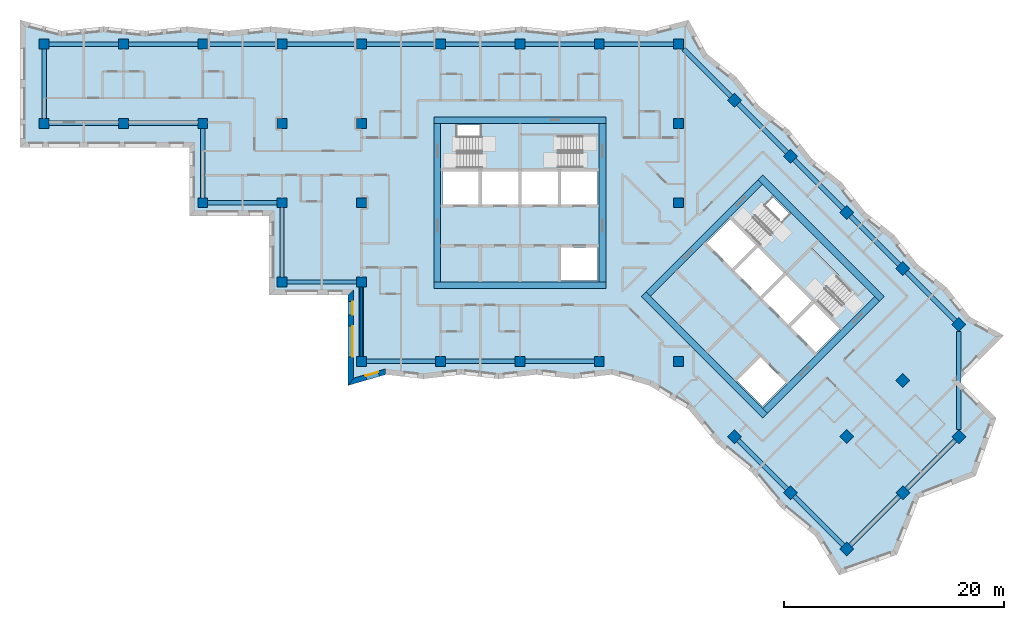
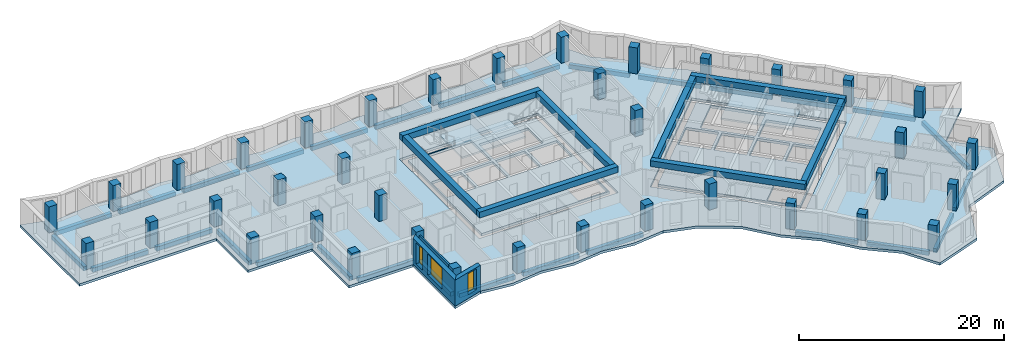
# One storey, part 1 of 12: 38 columns, 37 beams, 7 slabs, 3 walls, 3 windows, 19 openings, 4 elements without a shape of their own.
"""IFC4 building model written with IfcOpenShell, lengths in metres."""

import ifcopenshell
import ifcopenshell.guid

model = None  # the IFC model being written
_history = None  # IfcOwnerHistory: only IFC2X3 demands one
_inside = {}  # id of a spatial element -> (the spatial element, [elements in it])
_under = {}  # id of a project, library or spatial element -> (it, [spatial elements below it])
_declared = {}  # id of a project -> (the project, [libraries it declares])
_typed = {}  # id of a type object -> (the type object, [elements of that type])
_made_of = {}  # id of a material, layer set ... -> (it, [elements and type objects made of it])


def new_model(schema):
    """Start an empty IFC model of exactly this schema.

    Asked for "IFC4X3", IfcOpenShell would pick the latest addendum, in which some entities
    have other attributes; the version numbers below select the first issue.
    IFC2X3 requires an IfcOwnerHistory on every rooted entity: one is made here for all.
    """
    global model, _history
    if schema == "IFC4X3":
        model = ifcopenshell.file(schema_version=(4, 3, 0, 0))
    else:
        model = ifcopenshell.file(schema=schema)
    _inside.clear()
    _under.clear()
    _declared.clear()
    _typed.clear()
    _made_of.clear()
    _history = None
    if model.schema == "IFC2X3":
        org = make("IfcOrganization", Name="unknown")
        user = make(
            "IfcPersonAndOrganization",
            ThePerson=make("IfcPerson", FamilyName="unknown"),
            TheOrganization=org,
        )
        app = make(
            "IfcApplication",
            ApplicationDeveloper=org,
            Version="unknown",
            ApplicationFullName="unknown",
            ApplicationIdentifier="unknown",
        )
        _history = make(
            "IfcOwnerHistory",
            OwningUser=user,
            OwningApplication=app,
            ChangeAction="ADDED",
            CreationDate=0,
        )
    return model


def make(cls, **values):
    """One entity of the class cls with the attributes given. An attribute that is None is left unset."""
    return model.create_entity(
        cls, **{name: value for name, value in values.items() if value is not None}
    )


def rooted(cls, **values):
    """An entity with a GlobalId (a new one), such as an element, a storey or a relation."""
    return make(cls, GlobalId=ifcopenshell.guid.new(), OwnerHistory=_history, **values)


def si_unit(unit_type, name, prefix=None):
    """IfcSIUnit, for example si_unit("LENGTHUNIT", "METRE", prefix="MILLI")."""
    return make("IfcSIUnit", UnitType=unit_type, Prefix=prefix, Name=name)


def assignment(units):
    """IfcUnitAssignment: the units of a project."""
    return None if units is None else make("IfcUnitAssignment", Units=units)


def point(xyz):
    """IfcCartesianPoint."""
    return None if xyz is None else make("IfcCartesianPoint", Coordinates=xyz)


def direction(xyz):
    """IfcDirection."""
    return None if xyz is None else make("IfcDirection", DirectionRatios=xyz)


def frame(location, z_axis=None, x_axis=None):
    """IfcAxis2Placement3D, a coordinate frame: its origin and axes. An axis left out is left unset."""
    return make(
        "IfcAxis2Placement3D",
        Location=point(location),
        Axis=direction(z_axis),
        RefDirection=direction(x_axis),
    )


def frame_2d(location, x_axis=None):
    """IfcAxis2Placement2D, a coordinate frame in the plane: its origin and x axis."""
    return make(
        "IfcAxis2Placement2D", Location=point(location), RefDirection=direction(x_axis)
    )


def origin():
    """The frame at (0, 0, 0) with its axes left unset."""
    return frame((0.0, 0.0, 0.0))


def origin_2d():
    """The frame at (0, 0) in the plane with its x axis left unset."""
    return frame_2d((0.0, 0.0))


def place(relative_to, where):
    """IfcLocalPlacement: puts the frame where relative to a parent placement (None: the world)."""
    return make(
        "IfcLocalPlacement", PlacementRelTo=relative_to, RelativePlacement=where
    )


def context(
    kind, dimensions, precision=None, world=None, true_north=None, identifier=None
):
    """IfcGeometricRepresentationContext, for example the 3D "Model" context."""
    return make(
        "IfcGeometricRepresentationContext",
        ContextIdentifier=identifier,
        ContextType=kind,
        CoordinateSpaceDimension=dimensions,
        Precision=precision,
        WorldCoordinateSystem=world,
        TrueNorth=true_north,
    )


def subcontext(parent, identifier, kind, view, scale=None):
    """IfcGeometricRepresentationSubContext, for example "Body" below "Model"."""
    return make(
        "IfcGeometricRepresentationSubContext",
        ContextIdentifier=identifier,
        ContextType=kind,
        ParentContext=parent,
        TargetScale=scale,
        TargetView=view,
    )


def project(units=None, contexts=None):
    """IfcProject with its units and contexts."""
    return rooted(
        "IfcProject",
        Name="project",
        RepresentationContexts=contexts,
        UnitsInContext=assignment(units),
    )


def spatial(cls, under=None, at=None, **own):
    """A site, building, storey or space (cls), placed at a placement, below another one or the project."""
    s = rooted(cls, ObjectPlacement=at, **own)
    if under is not None:
        _under.setdefault(under.id(), (under, []))[1].append(s)
    return s


def polyline(points):
    """IfcPolyline through the points."""
    return make("IfcPolyline", Points=[point(p) for p in points])


def profile(cls, at=None, kind="AREA", **sizes):
    """A parametric profile (cls). Its sizes go by their IFC names, for example OverallWidth=200.0."""
    return make(cls, ProfileType=kind, Position=at, **sizes)


def rectangle(**sizes):
    """IfcRectangleProfileDef."""
    return profile("IfcRectangleProfileDef", **sizes)


def outline(outer, holes=None, kind="AREA"):
    """IfcArbitraryClosedProfileDef: a profile drawn as a closed curve; with holes, ...WithVoids."""
    if holes is None:
        return make("IfcArbitraryClosedProfileDef", ProfileType=kind, OuterCurve=outer)
    return make(
        "IfcArbitraryProfileDefWithVoids",
        ProfileType=kind,
        OuterCurve=outer,
        InnerCurves=holes,
    )


def extrude(swept, where, along, depth):
    """IfcExtrudedAreaSolid: the profile swept, set in the frame where, extruded along a direction by depth."""
    return make(
        "IfcExtrudedAreaSolid",
        SweptArea=swept,
        Position=where,
        ExtrudedDirection=direction(along),
        Depth=depth,
    )


def shape(context_of_items, identifier, shape_type, items):
    """IfcShapeRepresentation: the items that make up one representation, for example the "Body"."""
    return make(
        "IfcShapeRepresentation",
        ContextOfItems=context_of_items,
        RepresentationIdentifier=identifier,
        RepresentationType=shape_type,
        Items=items,
    )


def material(Name=None, Category=None):
    """IfcMaterial."""
    return make("IfcMaterial", Name=Name, Category=Category)


def layer(
    of_material, thickness, ventilated=None, Name=None, Category=None, Priority=None
):
    """IfcMaterialLayer: one layer of a wall or slab, of a material (None: an air gap)."""
    return make(
        "IfcMaterialLayer",
        Material=of_material,
        LayerThickness=thickness,
        IsVentilated=ventilated,
        Name=Name,
        Category=Category,
        Priority=Priority,
    )


def layer_set(layers, Name=None):
    """IfcMaterialLayerSet."""
    return make("IfcMaterialLayerSet", MaterialLayers=layers, LayerSetName=Name)


def material_profile(
    of_material, cross_section, Name=None, Category=None, Priority=None
):
    """IfcMaterialProfile: a cross section and its material."""
    return make(
        "IfcMaterialProfile",
        Name=Name,
        Material=of_material,
        Profile=cross_section,
        Priority=Priority,
        Category=Category,
    )


def profile_set(profiles, Name=None, composite=None):
    """IfcMaterialProfileSet."""
    return make(
        "IfcMaterialProfileSet",
        Name=Name,
        MaterialProfiles=profiles,
        CompositeProfile=composite,
    )


def made_of(thing, what):
    """Note that an element or type object is made of a material, layer set ...; save() writes the relation."""
    if what is not None:
        _made_of.setdefault(what.id(), (what, []))[1].append(thing)
    return thing


def type_object(cls, material=None, **own):
    """A type object (cls), such as IfcWallType, which elements share."""
    return made_of(rooted(cls, **own), material)


def element(
    cls,
    number,
    at=None,
    inside=None,
    cuts=None,
    type_object=None,
    material=None,
    context=None,
    identifier="Body",
    shape_type=None,
    held_by="IfcProductDefinitionShape",
    body=None,
    shapes=None,
    **own,
):
    """One element of the class cls, such as IfcWall. Its Tag is "e" and its number.

    at: its placement. inside: the storey or other place that contains it. cuts: it is an
    opening in that element (IfcRelVoidsElement). A single representation is given by context,
    identifier, shape_type and body (its items); several are given by shapes. held_by: the class
    of the entity that holds the representations. save() writes the other relations.
    """
    e = rooted(cls, Tag="e%d" % number, ObjectPlacement=at, **own)
    if body is not None:
        shapes = [shape(context, identifier, shape_type, body)]
    if shapes is not None:
        e.Representation = make(held_by, Representations=shapes)
    if inside is not None:
        _inside.setdefault(inside.id(), (inside, []))[1].append(e)
    if cuts is not None:
        rooted(
            "IfcRelVoidsElement", RelatingBuildingElement=cuts, RelatedOpeningElement=e
        )
    if type_object is not None:
        _typed.setdefault(type_object.id(), (type_object, []))[1].append(e)
    return made_of(e, material)


def fill(opening, filler):
    """IfcRelFillsElement: the door or window that sits in an opening."""
    return rooted(
        "IfcRelFillsElement",
        RelatingOpeningElement=opening,
        RelatedBuildingElement=filler,
    )


def aggregate(whole, parts):
    """IfcRelAggregates: a whole, such as a stair, and the parts it consists of."""
    return rooted("IfcRelAggregates", RelatingObject=whole, RelatedObjects=parts)


def save(model, path):
    """Write the relations noted so far, then the file.

    IfcRelAggregates (storeys below a building ...), IfcRelContainedInSpatialStructure (elements
    in a storey), IfcRelDefinesByType, IfcRelAssociatesMaterial and IfcRelDeclares: one each for
    every whole, place, type object, material and project.
    """
    for whole, parts in _under.values():
        aggregate(whole, parts)
    for where, things in _inside.values():
        rooted(
            "IfcRelContainedInSpatialStructure",
            RelatedElements=things,
            RelatingStructure=where,
        )
    for kind, things in _typed.values():
        rooted("IfcRelDefinesByType", RelatedObjects=things, RelatingType=kind)
    for what, things in _made_of.values():
        rooted("IfcRelAssociatesMaterial", RelatedObjects=things, RelatingMaterial=what)
    for by, libraries in _declared.values():
        rooted("IfcRelDeclares", RelatingContext=by, RelatedDefinitions=libraries)
    model.write(path)


model = new_model("IFC4")

# Units and contexts
model_context = context("Model", 3, precision=1e-05, world=origin(), true_north=direction((0.0, 1.0)))
body_context = subcontext(model_context, "Body", "Model", "MODEL_VIEW")
ifc_project = project(units=[si_unit("LENGTHUNIT", "METRE"), si_unit("AREAUNIT", "SQUARE_METRE"), si_unit("VOLUMEUNIT", "CUBIC_METRE"), si_unit("PLANEANGLEUNIT", "RADIAN"), si_unit("MASSUNIT", "GRAM", prefix="KILO")], contexts=[model_context])

# Site, building, storey
site_placement = place(None, origin())
site = spatial("IfcSite", under=ifc_project, at=site_placement, CompositionType="ELEMENT")
building_placement = place(site_placement, origin())
building = spatial("IfcBuilding", under=site, at=building_placement, Name="Windrow Commons", CompositionType="ELEMENT")
storey_placement = place(building_placement, frame((0.0, 0.0, 145.6)))
storey = spatial("IfcBuildingStorey", under=building, at=storey_placement, Name="L39", CompositionType="ELEMENT", Elevation=145.6)

# Columns
ifc_material_1 = material(Name="Concrete C50/60", Category="concrete")
ifc_material_profile_1 = material_profile(ifc_material_1, rectangle(XDim=0.9, YDim=0.9, at=origin_2d()))
ifc_profile_set_1 = profile_set([ifc_material_profile_1], Name="Concrete C50/60")
column_type = type_object("IfcColumnType", Name="RC COLUMN 900x900 C50/60", PredefinedType="COLUMN", material=ifc_profile_set_1)
for number, where, z_axis, x_axis, name in (
    (1, (21.6, 64.8, 0.0), (0.0, 0.0, 1.0), (1.0, 0.0, 0.0), "C-Z3-04I"),
    (2, (21.6, 72.0, 0.0), (0.0, 0.0, 1.0), (1.0, 0.0, 0.0), "C-Z3-04J"),
    (3, (28.8, 64.8, 0.0), (0.0, 0.0, 1.0), (1.0, 0.0, 0.0), "C-Z3-05I"),
    (4, (28.8, 72.0, 0.0), (0.0, 0.0, 1.0), (1.0, 0.0, 0.0), "C-Z3-05J"),
    (5, (36.0, 57.6, 0.0), (0.0, 0.0, 1.0), (1.0, 0.0, 0.0), "C-Z3-06H"),
    (6, (36.0, 64.8, 0.0), (0.0, 0.0, 1.0), (1.0, 0.0, 0.0), "C-Z3-06I"),
    (7, (36.0, 72.0, 0.0), (0.0, 0.0, 1.0), (1.0, 0.0, 0.0), "C-Z3-06J"),
    (8, (43.2, 50.4, 0.0), (0.0, 0.0, 1.0), (1.0, 0.0, 0.0), "C-Z3-07G"),
    (9, (43.2, 57.6, 0.0), (0.0, 0.0, 1.0), (1.0, 0.0, 0.0), "C-Z3-07H"),
    (10, (43.2, 64.8, 0.0), (0.0, 0.0, 1.0), (1.0, 0.0, 0.0), "C-Z3-07I"),
    (11, (43.2, 72.0, 0.0), (0.0, 0.0, 1.0), (1.0, 0.0, 0.0), "C-Z3-07J"),
    (12, (50.4, 43.2, 0.0), (0.0, 0.0, 1.0), (1.0, 0.0, 0.0), "C-Z3-08F"),
    (13, (50.4, 50.4, 0.0), (0.0, 0.0, 1.0), (1.0, 0.0, 0.0), "C-Z3-08G"),
    (14, (50.4, 57.6, 0.0), (0.0, 0.0, 1.0), (1.0, 0.0, 0.0), "C-Z3-08H"),
    (15, (50.4, 64.8, 0.0), (0.0, 0.0, 1.0), (1.0, 0.0, 0.0), "C-Z3-08I"),
    (16, (50.4, 72.0, 0.0), (0.0, 0.0, 1.0), (1.0, 0.0, 0.0), "C-Z3-08J"),
    (17, (57.6, 43.2, 0.0), (0.0, 0.0, 1.0), (1.0, 0.0, 0.0), "C-Z3-09F"),
    (18, (57.6, 72.0, 0.0), (0.0, 0.0, 1.0), (1.0, 0.0, 0.0), "C-Z3-09J"),
    (19, (64.8, 43.2, 0.0), (0.0, 0.0, 1.0), (1.0, 0.0, 0.0), "C-Z3-10F"),
    (20, (64.8, 72.0, 0.0), (0.0, 0.0, 1.0), (1.0, 0.0, 0.0), "C-Z3-10J"),
    (21, (72.0, 43.2, 0.0), (0.0, 0.0, 1.0), (1.0, 0.0, 0.0), "C-Z3-11F"),
    (22, (72.0, 72.0, 0.0), (0.0, 0.0, 1.0), (1.0, 0.0, 0.0), "C-Z3-11J"),
    (23, (79.2, 43.2, 0.0), (0.0, 0.0, 1.0), (1.0, 0.0, 0.0), "C-Z3-12F"),
    (24, (79.2, 57.6, 0.0), (0.0, 0.0, 1.0), (1.0, 0.0, 0.0), "C-Z3-12H"),
    (25, (79.2, 64.8, 0.0), (0.0, 0.0, 1.0), (1.0, 0.0, 0.0), "C-Z3-12I"),
    (26, (79.2, 72.0, 0.0), (0.0, 0.0, 1.0), (1.0, 0.0, 0.0), "C-Z3-12J"),
    (27, (84.2912, 66.9088, 0.0), (0.0, 0.0, 1.0), (0.7071067812, -0.7071067812, 0.0), "C-Z3-P2Q"),
    (28, (89.3823, 61.8177, 0.0), (0.0, 0.0, 1.0), (0.7071067812, -0.7071067812, 0.0), "C-Z3-P3Q"),
    (29, (94.4735, 56.7265, 0.0), (0.0, 0.0, 1.0), (0.7071067812, -0.7071067812, 0.0), "C-Z3-P4Q"),
    (30, (99.5647, 51.6353, 0.0), (0.0, 0.0, 1.0), (0.7071067812, -0.7071067812, 0.0), "C-Z3-P5Q"),
    (31, (84.2912, 36.3618, 0.0), (0.0, 0.0, 1.0), (0.7071067812, -0.7071067812, 0.0), "C-Z3-P5T"),
    (32, (104.6558, 46.5442, 0.0), (0.0, 0.0, 1.0), (0.7071067812, -0.7071067812, 0.0), "C-Z3-P6Q"),
    (33, (99.5647, 41.453, 0.0), (0.0, 0.0, 1.0), (0.7071067812, -0.7071067812, 0.0), "C-Z3-P6R"),
    (34, (94.4735, 36.3618, 0.0), (0.0, 0.0, 1.0), (0.7071067812, -0.7071067812, 0.0), "C-Z3-P6S"),
    (35, (89.3823, 31.2706, 0.0), (0.0, 0.0, 1.0), (0.7071067812, -0.7071067812, 0.0), "C-Z3-P6T"),
    (36, (104.6558, 36.3618, 0.0), (0.0, 0.0, 1.0), (0.7071067812, -0.7071067812, 0.0), "C-Z3-P7R"),
    (37, (99.5647, 31.2706, 0.0), (0.0, 0.0, 1.0), (0.7071067812, -0.7071067812, 0.0), "C-Z3-P7S"),
    (38, (94.4735, 26.1795, 0.0), (0.0, 0.0, 1.0), (0.7071067812, -0.7071067812, 0.0), "C-Z3-P7T"),
):
    element("IfcColumn", number, at=place(storey_placement, frame(where, z_axis=z_axis, x_axis=x_axis)), inside=storey, type_object=column_type, Name=name, PredefinedType="COLUMN", context=body_context, shape_type="SweptSolid", body=[
        extrude(rectangle(XDim=0.9, YDim=0.9, at=origin_2d()), origin(), (0.0, 0.0, 1.0), 3.1),
    ])

# Beams
ifc_material_2 = material(Name="Concrete C50/60", Category="concrete")
ifc_material_profile_2 = material_profile(ifc_material_2, rectangle(XDim=0.6, YDim=0.7, at=origin_2d()))
ifc_profile_set_2 = profile_set([ifc_material_profile_2], Name="Concrete C50/60")
beam_type_1 = type_object("IfcBeamType", Name="RC COUPLING BEAM 600x700 C50/60", PredefinedType="LINTEL", material=ifc_profile_set_2)
for number, where, z_axis, x_axis, name in (
    (39, (57.0, 50.1, 2.75), (1.0, 0.0, 0.0), (0.0, 1.0, 0.0), "Core A coupling beam outer-S"),
    (40, (57.0, 65.1, 2.75), (1.0, 0.0, 0.0), (0.0, 1.0, 0.0), "Core A coupling beam outer-N"),
):
    element("IfcBeam", number, at=place(storey_placement, frame(where, z_axis=z_axis, x_axis=x_axis)), inside=storey, type_object=beam_type_1, Name=name, PredefinedType="LINTEL", context=body_context, shape_type="SweptSolid", body=[
        extrude(rectangle(XDim=0.6, YDim=0.7, at=origin_2d()), origin(), (0.0, 0.0, 1.0), 15.6),
    ])
for number, where, z_axis, x_axis, name in (
    (41, (57.3, 50.4, 2.75), (0.0, 1.0, 0.0), (-1.0, 0.0, 0.0), "Core A coupling beam outer-W"),
    (42, (72.3, 50.4, 2.75), (0.0, 1.0, 0.0), (-1.0, 0.0, 0.0), "Core A coupling beam outer-E"),
):
    element("IfcBeam", number, at=place(storey_placement, frame(where, z_axis=z_axis, x_axis=x_axis)), inside=storey, type_object=beam_type_1, Name=name, PredefinedType="LINTEL", context=body_context, shape_type="SweptSolid", body=[
        extrude(rectangle(XDim=0.6, YDim=0.7, at=origin_2d()), origin(), (0.0, 0.0, 1.0), 14.4),
    ])
for number, where, z_axis, x_axis, name in (
    (43, (76.018, 49.3019, 2.75), (0.7071067812, -0.7071067812, 0.0), (0.7071067812, 0.7071067812, 0.0), "Core B coupling beam outer-S"),
    (44, (86.6246, 59.9085, 2.75), (0.7071067812, -0.7071067812, 0.0), (0.7071067812, 0.7071067812, 0.0), "Core B coupling beam outer-N"),
):
    element("IfcBeam", number, at=place(storey_placement, frame(where, z_axis=z_axis, x_axis=x_axis)), inside=storey, type_object=beam_type_1, Name=name, PredefinedType="LINTEL", context=body_context, shape_type="SweptSolid", body=[
        extrude(rectangle(XDim=0.6, YDim=0.7, at=origin_2d()), origin(), (0.0, 0.0, 1.0), 15.6),
    ])
for number, where, z_axis, x_axis, name in (
    (45, (76.4423, 49.3019, 2.75), (0.7071067812, 0.7071067812, 0.0), (-0.7071067812, 0.7071067812, 0.0), "Core B coupling beam outer-W"),
    (46, (87.0489, 38.6953, 2.75), (0.7071067812, 0.7071067812, 0.0), (-0.7071067812, 0.7071067812, 0.0), "Core B coupling beam outer-E"),
):
    element("IfcBeam", number, at=place(storey_placement, frame(where, z_axis=z_axis, x_axis=x_axis)), inside=storey, type_object=beam_type_1, Name=name, PredefinedType="LINTEL", context=body_context, shape_type="SweptSolid", body=[
        extrude(rectangle(XDim=0.6, YDim=0.7, at=origin_2d()), origin(), (0.0, 0.0, 1.0), 14.3999),
    ])
ifc_material_3 = material(Name="Concrete C50/60", Category="concrete")
ifc_material_profile_3 = material_profile(ifc_material_3, rectangle(XDim=0.4, YDim=0.5, at=origin_2d()))
ifc_profile_set_3 = profile_set([ifc_material_profile_3], Name="Concrete C50/60")
beam_type_2 = type_object("IfcBeamType", Name="RC EDGE BEAM 400x500 C50/60", PredefinedType="SPANDREL", material=ifc_profile_set_3)
for number, where, z_axis, x_axis, name in (
    (47, (36.0, 58.05, -0.55), (0.0, 1.0, 0.0), (-1.0, 0.0, 0.0), "Edge beam L39 001"),
    (48, (35.55, 64.8, -0.55), (-1.0, 0.0, 0.0), (0.0, -1.0, 0.0), "Edge beam L39 002"),
    (49, (28.35, 64.8, -0.55), (-1.0, 0.0, 0.0), (0.0, -1.0, 0.0), "Edge beam L39 003"),
    (50, (21.6, 65.25, -0.55), (0.0, 1.0, 0.0), (-1.0, 0.0, 0.0), "Edge beam L39 004"),
    (51, (22.05, 72.0, -0.55), (1.0, 0.0, 0.0), (0.0, 1.0, 0.0), "Edge beam L39 005"),
    (52, (29.25, 72.0, -0.55), (1.0, 0.0, 0.0), (0.0, 1.0, 0.0), "Edge beam L39 006"),
    (53, (36.45, 72.0, -0.55), (1.0, 0.0, 0.0), (0.0, 1.0, 0.0), "Edge beam L39 007"),
    (54, (43.65, 72.0, -0.55), (1.0, 0.0, 0.0), (0.0, 1.0, 0.0), "Edge beam L39 008"),
    (55, (50.85, 72.0, -0.55), (1.0, 0.0, 0.0), (0.0, 1.0, 0.0), "Edge beam L39 009"),
    (56, (58.05, 72.0, -0.55), (1.0, 0.0, 0.0), (0.0, 1.0, 0.0), "Edge beam L39 010"),
    (57, (65.25, 72.0, -0.55), (1.0, 0.0, 0.0), (0.0, 1.0, 0.0), "Edge beam L39 011"),
    (58, (72.45, 72.0, -0.55), (1.0, 0.0, 0.0), (0.0, 1.0, 0.0), "Edge beam L39 012"),
):
    element("IfcBeam", number, at=place(storey_placement, frame(where, z_axis=z_axis, x_axis=x_axis)), inside=storey, type_object=beam_type_2, Name=name, PredefinedType="SPANDREL", context=body_context, shape_type="SweptSolid", body=[
        extrude(rectangle(XDim=0.4, YDim=0.5, at=origin_2d()), origin(), (0.0, 0.0, 1.0), 6.3),
    ])
beam_1_placement = place(storey_placement, frame((79.65, 71.55, -0.55), z_axis=(0.7071067812, -0.7071067812, 0.0), x_axis=(0.7071067812, 0.7071067812, 0.0)))
element("IfcBeam", 59, at=beam_1_placement, inside=storey, type_object=beam_type_2, Name="Edge beam L39 013", PredefinedType="SPANDREL", context=body_context, shape_type="SweptSolid", body=[
    extrude(rectangle(XDim=0.4, YDim=0.5, at=origin_2d()), origin(), (0.0, 0.0, 1.0), 6.1136),
])
beam_2_placement = place(storey_placement, frame((84.6094, 66.5906, -0.55), z_axis=(0.7071067812, -0.7071067812, 0.0), x_axis=(0.7071067812, 0.7071067812, 0.0)))
element("IfcBeam", 60, at=beam_2_placement, inside=storey, type_object=beam_type_2, Name="Edge beam L39 014", PredefinedType="SPANDREL", context=body_context, shape_type="SweptSolid", body=[
    extrude(rectangle(XDim=0.4, YDim=0.5, at=origin_2d()), origin(), (0.0, 0.0, 1.0), 6.2999),
])
for number, where, z_axis, x_axis, name in (
    (61, (89.7005, 61.4995, -0.55), (0.7071067812, -0.7071067812, 0.0), (0.7071067812, 0.7071067812, 0.0), "Edge beam L39 015"),
    (62, (94.7917, 56.4083, -0.55), (0.7071067812, -0.7071067812, 0.0), (0.7071067812, 0.7071067812, 0.0), "Edge beam L39 016"),
):
    element("IfcBeam", number, at=place(storey_placement, frame(where, z_axis=z_axis, x_axis=x_axis)), inside=storey, type_object=beam_type_2, Name=name, PredefinedType="SPANDREL", context=body_context, shape_type="SweptSolid", body=[
        extrude(rectangle(XDim=0.4, YDim=0.5, at=origin_2d()), origin(), (0.0, 0.0, 1.0), 6.3),
    ])
beam_3_placement = place(storey_placement, frame((99.8829, 51.3171, -0.55), z_axis=(0.7071067812, -0.7071067812, 0.0), x_axis=(0.7071067812, 0.7071067812, 0.0)))
element("IfcBeam", 63, at=beam_3_placement, inside=storey, type_object=beam_type_2, Name="Edge beam L39 017", PredefinedType="SPANDREL", context=body_context, shape_type="SweptSolid", body=[
    extrude(rectangle(XDim=0.4, YDim=0.5, at=origin_2d()), origin(), (0.0, 0.0, 1.0), 6.2999),
])
beam_4_placement = place(storey_placement, frame((104.6558, 45.9078, -0.55), z_axis=(0.0, -1.0, 0.0), x_axis=(1.0, 0.0, 0.0)))
element("IfcBeam", 64, at=beam_4_placement, inside=storey, type_object=beam_type_2, Name="Edge beam L39 018", PredefinedType="SPANDREL", context=body_context, shape_type="SweptSolid", body=[
    extrude(rectangle(XDim=0.4, YDim=0.5, at=origin_2d()), origin(), (0.0, 0.0, 1.0), 8.9096),
])
for number, where, z_axis, x_axis, name in (
    (65, (104.3376, 36.0436, -0.55), (-0.7070988446, -0.7071147177, 0.0), (0.7071147177, -0.7070988446, 0.0), "Edge beam L39 019"),
    (66, (99.2465, 30.9524, -0.55), (-0.7071147177, -0.7070988446, 0.0), (0.7070988446, -0.7071147177, 0.0), "Edge beam L39 020"),
    (67, (94.1553, 26.4977, -0.55), (-0.7071147177, 0.7070988446, 0.0), (-0.7070988446, -0.7071147177, 0.0), "Edge beam L39 021"),
    (68, (89.0641, 31.5888, -0.55), (-0.7070988446, 0.7071147177, 0.0), (-0.7071147177, -0.7070988446, 0.0), "Edge beam L39 022"),
    (69, (71.55, 43.2, -0.55), (-1.0, 0.0, 0.0), (0.0, -1.0, 0.0), "Edge beam L39 023"),
    (70, (64.35, 43.2, -0.55), (-1.0, 0.0, 0.0), (0.0, -1.0, 0.0), "Edge beam L39 024"),
    (71, (57.15, 43.2, -0.55), (-1.0, 0.0, 0.0), (0.0, -1.0, 0.0), "Edge beam L39 025"),
    (72, (50.4, 43.65, -0.55), (0.0, 1.0, 0.0), (-1.0, 0.0, 0.0), "Edge beam L39 026"),
    (73, (49.95, 50.4, -0.55), (-1.0, 0.0, 0.0), (0.0, -1.0, 0.0), "Edge beam L39 027"),
    (74, (43.2, 50.85, -0.55), (0.0, 1.0, 0.0), (-1.0, 0.0, 0.0), "Edge beam L39 028"),
    (75, (42.75, 57.6, -0.55), (-1.0, 0.0, 0.0), (0.0, -1.0, 0.0), "Edge beam L39 029"),
):
    element("IfcBeam", number, at=place(storey_placement, frame(where, z_axis=z_axis, x_axis=x_axis)), inside=storey, type_object=beam_type_2, Name=name, PredefinedType="SPANDREL", context=body_context, shape_type="SweptSolid", body=[
        extrude(rectangle(XDim=0.4, YDim=0.5, at=origin_2d()), origin(), (0.0, 0.0, 1.0), 6.3),
    ])

# Slab, openings
ifc_material_4 = material(Name="Concrete C50/60", Category="concrete")
ifc_layer_1 = layer(ifc_material_4, 0.3)
ifc_layer_set_1 = layer_set([ifc_layer_1], Name="CORE FLOOR SLAB 300 C50/60")
slab_type_1 = type_object("IfcSlabType", Name="CORE FLOOR SLAB 300 C50/60", PredefinedType="FLOOR", material=ifc_layer_set_1)
placement_1 = place(storey_placement, frame((0.0, 0.0, -0.3)))
slab_1 = element("IfcSlab", 76, at=placement_1, inside=storey, type_object=slab_type_1, Name="S-L39-core-A", PredefinedType="FLOOR", context=body_context, shape_type="SweptSolid", body=[
    extrude(outline(polyline([(57.6, 50.4), (72.0, 50.4), (72.0, 64.8), (57.6, 64.8), (57.6, 50.4)]), holes=[polyline([(68.55, 50.55), (71.85, 50.55), (71.85, 53.55), (68.55, 53.55), (68.55, 50.55)]), polyline([(57.75, 57.45), (61.05, 57.45), (61.05, 60.45), (57.75, 60.45), (57.75, 57.45)]), polyline([(61.35, 57.45), (64.65, 57.45), (64.65, 60.45), (61.35, 60.45), (61.35, 57.45)]), polyline([(64.95, 57.45), (68.25, 57.45), (68.25, 60.45), (64.95, 60.45), (64.95, 57.45)]), polyline([(68.55, 57.45), (71.85, 57.45), (71.85, 60.45), (68.55, 60.45), (68.55, 57.45)]), polyline([(59.1, 60.75), (64.65, 60.75), (64.65, 64.65), (59.1, 64.65), (59.1, 60.75)]), polyline([(64.95, 60.75), (70.5, 60.75), (70.5, 63.705), (64.95, 63.705), (64.95, 60.75)])]), origin(), (0.0, 0.0, 1.0), 0.3),
])
opening_1_placement = place(placement_1, origin())
element("IfcOpeningElement", 77, at=opening_1_placement, cuts=slab_1, Name="Slab opening S-L39-core-A 1", PredefinedType="OPENING", context=body_context, shape_type="SweptSolid", body=[
    extrude(outline(polyline([(68.555, 50.555), (68.555, 53.545), (71.845, 53.545), (71.845, 50.555), (68.555, 50.555)])), origin(), (0.0, 0.0, 1.0), 0.3),
])
opening_2_placement = place(placement_1, origin())
element("IfcOpeningElement", 78, at=opening_2_placement, cuts=slab_1, Name="Slab opening S-L39-core-A 2", PredefinedType="OPENING", context=body_context, shape_type="SweptSolid", body=[
    extrude(outline(polyline([(57.755, 57.455), (57.755, 60.445), (61.045, 60.445), (61.045, 57.455), (57.755, 57.455)])), origin(), (0.0, 0.0, 1.0), 0.3),
])
opening_3_placement = place(placement_1, origin())
element("IfcOpeningElement", 79, at=opening_3_placement, cuts=slab_1, Name="Slab opening S-L39-core-A 3", PredefinedType="OPENING", context=body_context, shape_type="SweptSolid", body=[
    extrude(outline(polyline([(61.355, 57.455), (61.355, 60.445), (64.645, 60.445), (64.645, 57.455), (61.355, 57.455)])), origin(), (0.0, 0.0, 1.0), 0.3),
])
opening_4_placement = place(placement_1, origin())
element("IfcOpeningElement", 80, at=opening_4_placement, cuts=slab_1, Name="Slab opening S-L39-core-A 4", PredefinedType="OPENING", context=body_context, shape_type="SweptSolid", body=[
    extrude(outline(polyline([(64.955, 57.455), (64.955, 60.445), (68.245, 60.445), (68.245, 57.455), (64.955, 57.455)])), origin(), (0.0, 0.0, 1.0), 0.3),
])
opening_5_placement = place(placement_1, origin())
element("IfcOpeningElement", 81, at=opening_5_placement, cuts=slab_1, Name="Slab opening S-L39-core-A 5", PredefinedType="OPENING", context=body_context, shape_type="SweptSolid", body=[
    extrude(outline(polyline([(68.555, 57.455), (68.555, 60.445), (71.845, 60.445), (71.845, 57.455), (68.555, 57.455)])), origin(), (0.0, 0.0, 1.0), 0.3),
])
opening_6_placement = place(placement_1, origin())
element("IfcOpeningElement", 82, at=opening_6_placement, cuts=slab_1, Name="Slab opening S-L39-core-A 6", PredefinedType="OPENING", context=body_context, shape_type="SweptSolid", body=[
    extrude(outline(polyline([(59.105, 60.755), (59.105, 64.645), (64.645, 64.645), (64.645, 60.755), (59.105, 60.755)])), origin(), (0.0, 0.0, 1.0), 0.3),
])
opening_7_placement = place(placement_1, origin())
element("IfcOpeningElement", 83, at=opening_7_placement, cuts=slab_1, Name="Slab opening S-L39-core-A 7", PredefinedType="OPENING", context=body_context, shape_type="SweptSolid", body=[
    extrude(outline(polyline([(64.955, 60.755), (64.955, 63.7), (70.495, 63.7), (70.495, 60.755), (64.955, 60.755)])), origin(), (0.0, 0.0, 1.0), 0.3),
])

slab_2 = element("IfcSlab", 84, at=placement_1, inside=storey, type_object=slab_type_1, Name="S-L39-core-B", PredefinedType="FLOOR", context=body_context, shape_type="SweptSolid", body=[
    extrude(outline(polyline([(76.6544, 49.0897), (86.8368, 38.9074), (97.0191, 49.0897), (86.8368, 59.2721), (76.6544, 49.0897)]), holes=[polyline([(84.5033, 41.453), (86.8368, 39.1195), (88.9581, 41.2409), (86.6246, 43.5743), (84.5033, 41.453)]), polyline([(81.7456, 53.9688), (84.079, 51.6353), (86.2004, 53.7566), (83.8669, 56.0901), (81.7456, 53.9688)]), polyline([(84.2912, 51.4232), (86.6246, 49.0897), (88.7459, 51.2111), (86.4125, 53.5445), (84.2912, 51.4232)]), polyline([(86.8368, 48.8776), (89.1702, 46.5442), (91.2915, 48.6655), (88.9581, 50.9989), (86.8368, 48.8776)]), polyline([(89.3823, 46.332), (91.7158, 43.9986), (93.8371, 46.1199), (91.5037, 48.4533), (89.3823, 46.332)]), polyline([(85.0336, 55.3476), (88.9581, 51.4232), (91.7158, 54.1809), (87.7913, 58.1054), (85.0336, 55.3476)]), polyline([(89.1702, 51.2111), (93.0946, 47.2866), (95.1841, 49.3761), (91.2597, 53.3006), (89.1702, 51.2111)])]), origin(), (0.0, 0.0, 1.0), 0.3),
])
opening_8_placement = place(placement_1, origin())
element("IfcOpeningElement", 85, at=opening_8_placement, cuts=slab_2, Name="Slab opening S-L39-core-B 1", PredefinedType="OPENING", context=body_context, shape_type="SweptSolid", body=[
    extrude(outline(polyline([(84.5104, 41.453), (86.6246, 43.5672), (88.951, 41.2409), (86.8368, 39.1266), (84.5104, 41.453)])), origin(), (0.0, 0.0, 1.0), 0.3),
])
opening_9_placement = place(placement_1, origin())
element("IfcOpeningElement", 86, at=opening_9_placement, cuts=slab_2, Name="Slab opening S-L39-core-B 2", PredefinedType="OPENING", context=body_context, shape_type="SweptSolid", body=[
    extrude(outline(polyline([(81.7527, 53.9688), (83.8669, 56.083), (86.1933, 53.7566), (84.079, 51.6424), (81.7527, 53.9688)])), origin(), (0.0, 0.0, 1.0), 0.3),
])
opening_10_placement = place(placement_1, origin())
element("IfcOpeningElement", 87, at=opening_10_placement, cuts=slab_2, Name="Slab opening S-L39-core-B 3", PredefinedType="OPENING", context=body_context, shape_type="SweptSolid", body=[
    extrude(outline(polyline([(84.2983, 51.4232), (86.4125, 53.5374), (88.7388, 51.2111), (86.6246, 49.0968), (84.2983, 51.4232)])), origin(), (0.0, 0.0, 1.0), 0.3),
])
opening_11_placement = place(placement_1, origin())
element("IfcOpeningElement", 88, at=opening_11_placement, cuts=slab_2, Name="Slab opening S-L39-core-B 4", PredefinedType="OPENING", context=body_context, shape_type="SweptSolid", body=[
    extrude(outline(polyline([(86.8439, 48.8776), (88.9581, 50.9918), (91.2844, 48.6655), (89.1702, 46.5513), (86.8439, 48.8776)])), origin(), (0.0, 0.0, 1.0), 0.3),
])
opening_12_placement = place(placement_1, origin())
element("IfcOpeningElement", 89, at=opening_12_placement, cuts=slab_2, Name="Slab opening S-L39-core-B 5", PredefinedType="OPENING", context=body_context, shape_type="SweptSolid", body=[
    extrude(outline(polyline([(89.3894, 46.332), (91.5037, 48.4462), (93.83, 46.1199), (91.7158, 44.0057), (89.3894, 46.332)])), origin(), (0.0, 0.0, 1.0), 0.3),
])
opening_13_placement = place(placement_1, origin())
element("IfcOpeningElement", 90, at=opening_13_placement, cuts=slab_2, Name="Slab opening S-L39-core-B 6", PredefinedType="OPENING", context=body_context, shape_type="SweptSolid", body=[
    extrude(outline(polyline([(85.0407, 55.3476), (87.7913, 58.0983), (91.7087, 54.1809), (88.9581, 51.4303), (85.0407, 55.3476)])), origin(), (0.0, 0.0, 1.0), 0.3),
])
opening_14_placement = place(placement_1, origin())
element("IfcOpeningElement", 91, at=opening_14_placement, cuts=slab_2, Name="Slab opening S-L39-core-B 7", PredefinedType="OPENING", context=body_context, shape_type="SweptSolid", body=[
    extrude(outline(polyline([(89.1773, 51.2111), (91.2597, 53.2935), (95.177, 49.3761), (93.0946, 47.2937), (89.1773, 51.2111)])), origin(), (0.0, 0.0, 1.0), 0.3),
])

# Stair, slab
ifc_material_5 = material(Name="Concrete C40/50", Category="concrete")
stair_type = type_object("IfcStairType", Name="Core stair", PredefinedType="HALF_TURN_STAIR", material=ifc_material_5)
placement_2 = place(storey_placement, origin())
stair_1 = element("IfcStair", 92, at=placement_2, inside=storey, type_object=stair_type, Name="L39 Exit stair A1 core A", PredefinedType="HALF_TURN_STAIR")
ifc_material_6 = material(Name="Concrete C40/50", Category="concrete")
ifc_layer_2 = layer(ifc_material_6, 0.2)
ifc_layer_set_2 = layer_set([ifc_layer_2], Name="Core stair landing")
slab_type_2 = type_object("IfcSlabType", Name="Core stair landing", PredefinedType="LANDING", material=ifc_layer_set_2)
placement_3 = place(storey_placement, frame((0.0, 0.0, 1.5)))
slab_3 = element("IfcSlab", 93, at=placement_3, type_object=slab_type_2, Name="ST-A1 landing 1", PredefinedType="LANDING", context=body_context, shape_type="SweptSolid", body=[
    extrude(outline(polyline([(61.22, 60.5), (64.8, 60.5), (64.8, 64.9), (61.22, 64.9), (61.22, 60.5)])), origin(), (0.0, 0.0, 1.0), 0.2),
])
aggregate(stair_1, [slab_3])

stair_2 = element("IfcStair", 94, at=placement_2, inside=storey, type_object=stair_type, Name="L39 Exit stair A2 core A", PredefinedType="HALF_TURN_STAIR")
slab_4 = element("IfcSlab", 95, at=placement_3, type_object=slab_type_2, Name="ST-A2 landing 1", PredefinedType="LANDING", context=body_context, shape_type="SweptSolid", body=[
    extrude(outline(polyline([(64.8, 60.5), (68.38, 60.5), (68.38, 63.855), (64.8, 63.855), (64.8, 60.5)])), origin(), (0.0, 0.0, 1.0), 0.2),
])
aggregate(stair_2, [slab_4])

stair_3 = element("IfcStair", 96, at=placement_2, inside=storey, type_object=stair_type, Name="L39 Exit stair B1 core B", PredefinedType="HALF_TURN_STAIR")
slab_5 = element("IfcSlab", 97, at=placement_3, type_object=slab_type_2, Name="ST-B1 landing 1", PredefinedType="LANDING", context=body_context, shape_type="SweptSolid", body=[
    extrude(outline(polyline([(86.3559, 53.6718), (88.8874, 51.1403), (91.9986, 54.2516), (89.4672, 56.7831), (86.3559, 53.6718)])), origin(), (0.0, 0.0, 1.0), 0.2),
])
aggregate(stair_3, [slab_5])

stair_4 = element("IfcStair", 98, at=placement_2, inside=storey, type_object=stair_type, Name="L39 Exit stair B2 core B", PredefinedType="HALF_TURN_STAIR")
slab_6 = element("IfcSlab", 99, at=placement_3, type_object=slab_type_2, Name="ST-B2 landing 1", PredefinedType="LANDING", context=body_context, shape_type="SweptSolid", body=[
    extrude(outline(polyline([(88.8874, 51.1403), (91.4188, 48.6089), (93.7911, 50.9812), (91.2597, 53.5127), (88.8874, 51.1403)])), origin(), (0.0, 0.0, 1.0), 0.2),
])
aggregate(stair_4, [slab_6])

# Slab, openings
ifc_material_7 = material(Name="Concrete C50/60", Category="concrete")
ifc_layer_3 = layer(ifc_material_7, 0.3)
ifc_layer_set_3 = layer_set([ifc_layer_3], Name="FLOOR SLAB 300 C50/60")
slab_type_3 = type_object("IfcSlabType", Name="FLOOR SLAB 300 C50/60", PredefinedType="FLOOR", material=ifc_layer_set_3)
slab_7 = element("IfcSlab", 100, at=placement_1, inside=storey, type_object=slab_type_3, Name="S-L39-floor", PredefinedType="FLOOR", context=body_context, shape_type="SweptSolid", body=[
    extrude(outline(polyline([(91.6023, 27.3536), (93.7728, 23.7817), (99.0391, 25.6539), (101.0528, 30.7789), (106.1777, 32.7925), (108.05, 38.0589), (104.6558, 41.453), (108.7508, 45.5478), (105.6631, 47.234), (103.5526, 49.8974), (100.8892, 52.0079), (98.7788, 54.6713), (96.1154, 56.7817), (94.0049, 59.4452), (91.3415, 61.5556), (89.231, 64.219), (86.5676, 66.3295), (84.4572, 68.9929), (81.7938, 71.1033), (80.1076, 74.191), (76.3139, 73.2), (72.5203, 73.591), (68.7266, 73.2), (64.9329, 73.591), (61.1393, 73.2), (57.3456, 73.591), (53.552, 73.2), (49.7583, 73.591), (45.9646, 73.2), (42.171, 73.591), (38.3773, 73.2), (34.5836, 73.591), (30.79, 73.2), (26.9963, 73.591), (23.2027, 73.2), (19.409, 74.191), (19.409, 62.609), (34.8, 62.609), (34.8, 56.4), (42.0, 56.4), (42.0, 49.2), (49.2, 49.2), (49.2, 41.009), (52.6182, 42.0), (56.0364, 41.609), (59.4545, 42.0), (62.8727, 41.609), (66.2909, 42.0), (69.7091, 41.609), (73.1272, 42.0), (76.5454, 41.009), (80.1174, 38.8385), (82.7121, 35.6908), (85.8598, 33.0961), (88.4546, 29.9484), (91.6023, 27.3536)]), holes=[polyline([(75.8059, 49.0897), (86.8368, 60.1206), (97.8676, 49.0897), (86.8368, 38.0589), (75.8059, 49.0897)]), polyline([(57.0, 49.8), (57.0, 65.4), (72.6, 65.4), (72.6, 49.8), (57.0, 49.8)])]), origin(), (0.0, 0.0, 1.0), 0.3),
])
opening_15_placement = place(placement_1, origin())
element("IfcOpeningElement", 101, at=opening_15_placement, cuts=slab_7, Name="Slab opening S-L39-floor 1", PredefinedType="OPENING", context=body_context, shape_type="SweptSolid", body=[
    extrude(outline(polyline([(75.813, 49.0897), (86.8368, 60.1135), (97.8605, 49.0897), (86.8368, 38.066), (75.813, 49.0897)])), origin(), (0.0, 0.0, 1.0), 0.3),
])
opening_16_placement = place(placement_1, origin())
element("IfcOpeningElement", 102, at=opening_16_placement, cuts=slab_7, Name="Slab opening S-L39-floor 2", PredefinedType="OPENING", context=body_context, shape_type="SweptSolid", body=[
    extrude(outline(polyline([(57.005, 49.805), (57.005, 65.395), (72.595, 65.395), (72.595, 49.805), (57.005, 49.805)])), origin(), (0.0, 0.0, 1.0), 0.3),
])

# Wall, openings, windows
ifc_material_8 = material(Name="Brick masonry, red clay brick", Category="masonry")
ifc_layer_4 = layer(ifc_material_8, 0.5)
ifc_layer_set_4 = layer_set([ifc_layer_4], Name="Brick facade wall 500")
wall_type_1 = type_object("IfcWallType", Name="Brick facade wall 500", PredefinedType="SOLIDWALL", material=ifc_layer_set_4)
wall_1_placement = place(storey_placement, frame((49.45, 49.45, 0.0), z_axis=(0.0, 0.0, 1.0), x_axis=(0.0, -1.0, 0.0)))
wall_1 = element("IfcWall", 103, at=wall_1_placement, inside=storey, type_object=wall_type_1, Name="Brick facade wall L39 41", PredefinedType="SOLIDWALL", context=body_context, shape_type="SweptSolid", body=[
    extrude(outline(polyline([(0.25, -0.25), (8.441, -0.25), (7.7755, 0.25), (-0.25, 0.25), (0.25, -0.25)])), origin(), (0.0, 0.0, 1.0), 3.1),
])
opening_17_placement = place(wall_1_placement, frame((3.05, 0.0, 0.45)))
opening_17 = element("IfcOpeningElement", 104, at=opening_17_placement, cuts=wall_1, Name="Opening W1U", PredefinedType="OPENING", context=body_context, shape_type="SweptSolid", body=[
    extrude(rectangle(XDim=2.8, YDim=2.5, at=frame_2d((1.4, 1.25))), frame((0.0, 0.26, 0.0), z_axis=(0.0, -1.0, 0.0), x_axis=(1.0, 0.0, 0.0)), (0.0, 0.0, 1.0), 0.52),
])
opening_18_placement = place(wall_1_placement, frame((0.825, 0.0, 0.45)))
opening_18 = element("IfcOpeningElement", 105, at=opening_18_placement, cuts=wall_1, Name="Opening W7E", PredefinedType="OPENING", context=body_context, shape_type="SweptSolid", body=[
    extrude(rectangle(XDim=1.2, YDim=2.5, at=frame_2d((0.6, 1.25))), frame((0.0, 0.26, 0.0), z_axis=(0.0, -1.0, 0.0), x_axis=(1.0, 0.0, 0.0)), (0.0, 0.0, 1.0), 0.52),
])
ifc_material_9 = material(Name="Clear float glass in anodised aluminium frame", Category="aluminium")
window_type_1 = type_object("IfcWindowType", Name="Window W1U bedroom 2800x2500", PartitioningType="SINGLE_PANEL", PredefinedType="WINDOW", material=ifc_material_9)
window_1_placement = place(opening_17_placement, origin())
window_1 = element("IfcWindow", 106, at=window_1_placement, inside=storey, type_object=window_type_1, Name="Window L39 41.1", OverallHeight=2.5, OverallWidth=2.8, PartitioningType="SINGLE_PANEL", PredefinedType="WINDOW", context=body_context, shape_type="SweptSolid", body=[
    extrude(rectangle(XDim=2.8, YDim=2.5, at=frame_2d((1.4, 1.25))), frame((0.0, 0.18, 0.0), z_axis=(0.0, -1.0, 0.0), x_axis=(1.0, 0.0, 0.0)), (0.0, 0.0, 1.0), 0.06),
])
fill(opening_17, window_1)
ifc_material_10 = material(Name="Clear float glass in anodised aluminium frame", Category="aluminium")
window_type_2 = type_object("IfcWindowType", Name="Window W7 notch 1200x2500", PartitioningType="SINGLE_PANEL", PredefinedType="WINDOW", material=ifc_material_10)
window_2_placement = place(opening_18_placement, origin())
window_2 = element("IfcWindow", 107, at=window_2_placement, inside=storey, type_object=window_type_2, Name="Window L39 41.2", OverallHeight=2.5, OverallWidth=1.2, PartitioningType="SINGLE_PANEL", PredefinedType="WINDOW", context=body_context, shape_type="SweptSolid", body=[
    extrude(rectangle(XDim=1.2, YDim=2.5, at=frame_2d((0.6, 1.25))), frame((0.0, 0.18, 0.0), z_axis=(0.0, -1.0, 0.0), x_axis=(1.0, 0.0, 0.0)), (0.0, 0.0, 1.0), 0.06),
])
fill(opening_18, window_2)

# Wall, opening, window
wall_2_placement = place(storey_placement, frame((49.45, 41.3418, 0.0), z_axis=(0.0, 0.0, 1.0), x_axis=(0.9604489769, 0.2784560338, 0.0)))
wall_2 = element("IfcWall", 108, at=wall_2_placement, inside=storey, type_object=wall_type_1, Name="Brick facade wall L39 42", PredefinedType="SOLIDWALL", context=body_context, shape_type="SweptSolid", body=[
    extrude(outline(polyline([(-0.3328, -0.25), (3.2262, -0.25), (3.3265, 0.25), (0.3328, 0.25), (-0.3328, -0.25)])), origin(), (0.0, 0.0, 1.0), 3.1),
])
opening_19_placement = place(wall_2_placement, frame((1.4327, 0.0, 0.45)))
opening_19 = element("IfcOpeningElement", 109, at=opening_19_placement, cuts=wall_2, Name="Opening W7E", PredefinedType="OPENING", context=body_context, shape_type="SweptSolid", body=[
    extrude(rectangle(XDim=1.2, YDim=2.5, at=frame_2d((0.6, 1.25))), frame((0.0, 0.26, 0.0), z_axis=(0.0, -1.0, 0.0), x_axis=(1.0, 0.0, 0.0)), (0.0, 0.0, 1.0), 0.52),
])
window_3_placement = place(opening_19_placement, origin())
window_3 = element("IfcWindow", 110, at=window_3_placement, inside=storey, type_object=window_type_2, Name="Window L39 42.1", OverallHeight=2.5, OverallWidth=1.2, PartitioningType="SINGLE_PANEL", PredefinedType="WINDOW", context=body_context, shape_type="SweptSolid", body=[
    extrude(rectangle(XDim=1.2, YDim=2.5, at=frame_2d((0.6, 1.25))), frame((0.0, 0.18, 0.0), z_axis=(0.0, -1.0, 0.0), x_axis=(1.0, 0.0, 0.0)), (0.0, 0.0, 1.0), 0.06),
])
fill(opening_19, window_3)

# Wall
ifc_material_11 = material(Name="Blockwork partition", Category="masonry")
ifc_layer_5 = layer(ifc_material_11, 0.2)
ifc_layer_set_5 = layer_set([ifc_layer_5], Name="IW-PARTY-200")
wall_type_2 = type_object("IfcWallType", Name="IW-PARTY-200", PredefinedType="PARTITIONING", material=ifc_layer_set_5)
wall_3_placement = place(storey_placement, frame((50.4, 43.65, 0.0), z_axis=(0.0, 0.0, 1.0), x_axis=(0.0, 1.0, 0.0)))
element("IfcWall", 111, at=wall_3_placement, inside=storey, type_object=wall_type_2, Name="W-L39-W020", PredefinedType="PARTITIONING", context=body_context, shape_type="SweptSolid", body=[
    extrude(rectangle(XDim=6.3, YDim=0.2, at=frame_2d((3.15, 0.0))), origin(), (0.0, 0.0, 1.0), 2.6),
])

save(model, "model.ifc")
